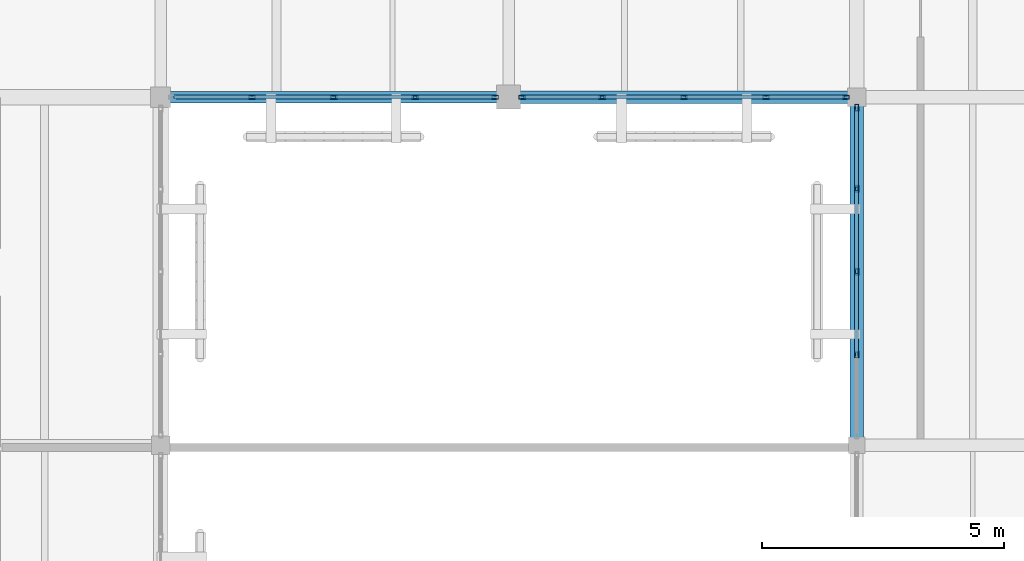
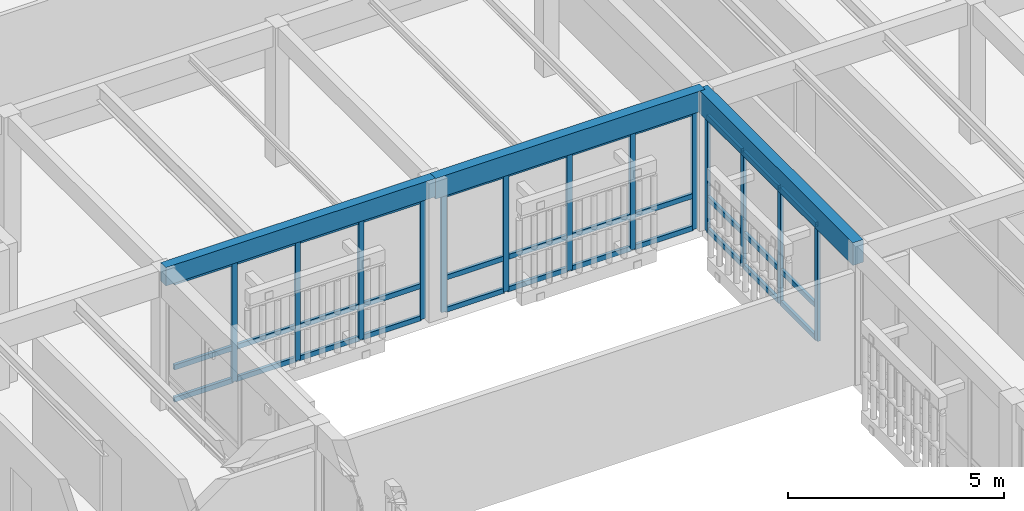
# One storey, part 33 of 112: 46 members, 3 beams, 3 elements without a shape of their own.
"""IFC4 building model written with IfcOpenShell, lengths in metres."""

from ifc_helpers import new_model, si_unit, direction, frame, origin, origin_2d, place, context, subcontext, project, spatial, rectangle, hollow_rectangle, extrude, material, layer, layer_set, material_profile, profile_set, type_object, element, aggregate, save


model = new_model("IFC4")

# Units and contexts
model_context = context("Model", 3, precision=1e-05, world=origin(), true_north=direction((0.0, 1.0)))
body_context = subcontext(model_context, "Body", "Model", "MODEL_VIEW")
ifc_project = project(units=[si_unit("LENGTHUNIT", "METRE"), si_unit("AREAUNIT", "SQUARE_METRE"), si_unit("VOLUMEUNIT", "CUBIC_METRE"), si_unit("PLANEANGLEUNIT", "RADIAN"), si_unit("MASSUNIT", "GRAM", prefix="KILO")], contexts=[model_context])

# Site, building, storey
site_placement = place(None, origin())
site = spatial("IfcSite", under=ifc_project, at=site_placement, CompositionType="ELEMENT")
building_placement = place(site_placement, origin())
building = spatial("IfcBuilding", under=site, at=building_placement, Name="Mazaris Harbour Polytechnic", CompositionType="ELEMENT")
storey_placement = place(building_placement, frame((0.0, 0.0, 13.800048828125)))
storey = spatial("IfcBuildingStorey", under=building, at=storey_placement, Name="L03", CompositionType="ELEMENT", Elevation=13.800048828125)

# Curtain wall, members
ifc_material_1 = material(Name="Anodised Bronze Aluminium and Low-E Glass", Category="aluminium")
ifc_layer = layer(ifc_material_1, 0.159912109375, Name="Anodised Bronze Aluminium and Low-E Glass")
ifc_layer_set = layer_set([ifc_layer], Name="Anodised Bronze Aluminium and Low-E Glass")
curtain_wall_type = type_object("IfcCurtainWallType", Name="Cloister Court Curtain Wall", PredefinedType="NOTDEFINED", material=ifc_layer_set)
curtain_wall_1_placement = place(storey_placement, origin())
curtain_wall_1 = element("IfcCurtainWall", 1, at=curtain_wall_1_placement, inside=storey, type_object=curtain_wall_type, Name="V4 L03 Curtain Wall 152", PredefinedType="NOTDEFINED")
ifc_material_2 = material(Name="Anodised Bronze Steel S355", Category="steel")
ifc_material_profile_1 = material_profile(ifc_material_2, hollow_rectangle(XDim=0.080078125, YDim=0.139892578125, WallThickness=0.00634765625, at=origin_2d()), Name="RHS 80x140x6.3")
ifc_profile_set_1 = profile_set([ifc_material_profile_1], Name="Anodised Bronze Steel S355")
member_type_1 = type_object("IfcMemberType", Name="Curtain Mullion RHS80x140", PredefinedType="MULLION", material=ifc_profile_set_1)
member_1_placement = place(storey_placement, frame((21.318115234375, 68.39990234375, 0.0), z_axis=(0.0, 0.0, 1.0), x_axis=(0.0, -1.0, 0.0)))
member_1 = element("IfcMember", 2, at=member_1_placement, type_object=member_type_1, Name="CW-02 mullion 1", PredefinedType="MULLION", context=body_context, shape_type="SweptSolid", body=[
    extrude(hollow_rectangle(XDim=0.080078125, YDim=0.139892578125, WallThickness=0.00634765625, at=origin_2d()), origin(), (0.0, 0.0, 1.0), 3.389892578125),
])
member_2_placement = place(storey_placement, frame((19.6689453125, 68.39990234375, 0.0), z_axis=(0.0, 0.0, 1.0), x_axis=(0.0, -1.0, 0.0)))
member_2 = element("IfcMember", 3, at=member_2_placement, type_object=member_type_1, Name="CW-02 mullion 2", PredefinedType="MULLION", context=body_context, shape_type="SweptSolid", body=[
    extrude(hollow_rectangle(XDim=0.080078125, YDim=0.139892578125, WallThickness=0.00634765625, at=origin_2d()), origin(), (0.0, 0.0, 1.0), 3.389892578125),
])
member_3_placement = place(storey_placement, frame((17.97998046875, 68.39990234375, 0.0), z_axis=(0.0, 0.0, 1.0), x_axis=(0.0, -1.0, 0.0)))
member_3 = element("IfcMember", 4, at=member_3_placement, type_object=member_type_1, Name="CW-02 mullion 3", PredefinedType="MULLION", context=body_context, shape_type="SweptSolid", body=[
    extrude(hollow_rectangle(XDim=0.080078125, YDim=0.139892578125, WallThickness=0.00634765625, at=origin_2d()), origin(), (0.0, 0.0, 1.0), 3.389892578125),
])
member_4_placement = place(storey_placement, frame((16.291015625, 68.39990234375, 0.0), z_axis=(0.0, 0.0, 1.0), x_axis=(0.0, -1.0, 0.0)))
member_4 = element("IfcMember", 5, at=member_4_placement, type_object=member_type_1, Name="CW-02 mullion 4", PredefinedType="MULLION", context=body_context, shape_type="SweptSolid", body=[
    extrude(hollow_rectangle(XDim=0.080078125, YDim=0.139892578125, WallThickness=0.00634765625, at=origin_2d()), origin(), (0.0, 0.0, 1.0), 3.389892578125),
])

curtain_wall_2_placement = place(storey_placement, origin())
curtain_wall_2 = element("IfcCurtainWall", 6, at=curtain_wall_2_placement, inside=storey, type_object=curtain_wall_type, Name="V4 L03 Curtain Wall 153", PredefinedType="NOTDEFINED")
member_5_placement = place(storey_placement, frame((28.577880859375, 68.39990234375, 0.0), z_axis=(0.0, 0.0, 1.0), x_axis=(0.0, -1.0, 0.0)))
member_5 = element("IfcMember", 7, at=member_5_placement, type_object=member_type_1, Name="CW-02 mullion 1", PredefinedType="MULLION", context=body_context, shape_type="SweptSolid", body=[
    extrude(hollow_rectangle(XDim=0.080078125, YDim=0.139892578125, WallThickness=0.00634765625, at=origin_2d()), origin(), (0.0, 0.0, 1.0), 3.329833984375),
])
member_6_placement = place(storey_placement, frame((26.924072265625, 68.39990234375, 0.0), z_axis=(0.0, 0.0, 1.0), x_axis=(0.0, -1.0, 0.0)))
member_6 = element("IfcMember", 8, at=member_6_placement, type_object=member_type_1, Name="CW-02 mullion 2", PredefinedType="MULLION", context=body_context, shape_type="SweptSolid", body=[
    extrude(hollow_rectangle(XDim=0.080078125, YDim=0.139892578125, WallThickness=0.00634765625, at=origin_2d()), origin(), (0.0, 0.0, 1.0), 3.329833984375),
])
member_7_placement = place(storey_placement, frame((25.22998046875, 68.39990234375, 0.0), z_axis=(0.0, 0.0, 1.0), x_axis=(0.0, -1.0, 0.0)))
member_7 = element("IfcMember", 9, at=member_7_placement, type_object=member_type_1, Name="CW-02 mullion 3", PredefinedType="MULLION", context=body_context, shape_type="SweptSolid", body=[
    extrude(hollow_rectangle(XDim=0.080078125, YDim=0.139892578125, WallThickness=0.00634765625, at=origin_2d()), origin(), (0.0, 0.0, 1.0), 3.329833984375),
])
member_8_placement = place(storey_placement, frame((23.535888671875, 68.39990234375, 0.0), z_axis=(0.0, 0.0, 1.0), x_axis=(0.0, -1.0, 0.0)))
member_8 = element("IfcMember", 10, at=member_8_placement, type_object=member_type_1, Name="CW-02 mullion 4", PredefinedType="MULLION", context=body_context, shape_type="SweptSolid", body=[
    extrude(hollow_rectangle(XDim=0.080078125, YDim=0.139892578125, WallThickness=0.00634765625, at=origin_2d()), origin(), (0.0, 0.0, 1.0), 3.329833984375),
])
member_9_placement = place(storey_placement, frame((21.882080078125, 68.39990234375, 0.0), z_axis=(0.0, 0.0, 1.0), x_axis=(0.0, -1.0, 0.0)))
member_9 = element("IfcMember", 11, at=member_9_placement, type_object=member_type_1, Name="CW-02 mullion 5", PredefinedType="MULLION", context=body_context, shape_type="SweptSolid", body=[
    extrude(hollow_rectangle(XDim=0.080078125, YDim=0.139892578125, WallThickness=0.00634765625, at=origin_2d()), origin(), (0.0, 0.0, 1.0), 3.329833984375),
])

curtain_wall_3_placement = place(storey_placement, origin())
curtain_wall_3 = element("IfcCurtainWall", 12, at=curtain_wall_3_placement, inside=storey, type_object=curtain_wall_type, Name="V4 L03 Curtain Wall 161", PredefinedType="NOTDEFINED")
member_10_placement = place(storey_placement, frame((28.800048828125, 68.177978515625, 0.0), z_axis=(0.0, 0.0, 1.0), x_axis=(1.0, 0.0, 0.0)))
member_10 = element("IfcMember", 13, at=member_10_placement, type_object=member_type_1, Name="CW-02 mullion 1", PredefinedType="MULLION", context=body_context, shape_type="SweptSolid", body=[
    extrude(hollow_rectangle(XDim=0.080078125, YDim=0.139892578125, WallThickness=0.00634765625, at=origin_2d()), origin(), (0.0, 0.0, 1.0), 3.27001953125),
])
member_11_placement = place(storey_placement, frame((28.800048828125, 66.50390625, 0.0), z_axis=(0.0, 0.0, 1.0), x_axis=(1.0, 0.0, 0.0)))
member_11 = element("IfcMember", 14, at=member_11_placement, type_object=member_type_1, Name="CW-02 mullion 2", PredefinedType="MULLION", context=body_context, shape_type="SweptSolid", body=[
    extrude(hollow_rectangle(XDim=0.080078125, YDim=0.139892578125, WallThickness=0.00634765625, at=origin_2d()), origin(), (0.0, 0.0, 1.0), 3.27001953125),
])
member_12_placement = place(storey_placement, frame((28.800048828125, 64.7900390625, 0.0), z_axis=(0.0, 0.0, 1.0), x_axis=(1.0, 0.0, 0.0)))
member_12 = element("IfcMember", 15, at=member_12_placement, type_object=member_type_1, Name="CW-02 mullion 3", PredefinedType="MULLION", context=body_context, shape_type="SweptSolid", body=[
    extrude(hollow_rectangle(XDim=0.080078125, YDim=0.139892578125, WallThickness=0.00634765625, at=origin_2d()), origin(), (0.0, 0.0, 1.0), 3.27001953125),
])
member_13_placement = place(storey_placement, frame((28.800048828125, 63.075927734375, 0.0), z_axis=(0.0, 0.0, 1.0), x_axis=(1.0, 0.0, 0.0)))
member_13 = element("IfcMember", 16, at=member_13_placement, type_object=member_type_1, Name="CW-02 mullion 4", PredefinedType="MULLION", context=body_context, shape_type="SweptSolid", body=[
    extrude(hollow_rectangle(XDim=0.080078125, YDim=0.139892578125, WallThickness=0.00634765625, at=origin_2d()), origin(), (0.0, 0.0, 1.0), 3.27001953125),
])

# Member
ifc_material_3 = material(Name="Anodised Bronze Steel S355", Category="steel")
ifc_material_profile_2 = material_profile(ifc_material_3, hollow_rectangle(XDim=0.080078125, YDim=0.139892578125, WallThickness=0.00634765625, at=origin_2d()), Name="RHS 80x140x6.3")
ifc_profile_set_2 = profile_set([ifc_material_profile_2], Name="Anodised Bronze Steel S355")
member_type_2 = type_object("IfcMemberType", Name="Curtain Transom RHS80x140", PredefinedType="USERDEFINED", material=ifc_profile_set_2)
member_14_placement = place(storey_placement, frame((21.278076171875, 68.39990234375, 0.0400390625), z_axis=(-1.0, 0.0, 0.0), x_axis=(0.0, -1.0, 0.0)))
member_14 = element("IfcMember", 17, at=member_14_placement, type_object=member_type_2, Name="CW-02 transom 1.1", ObjectType="TRANSOM", PredefinedType="USERDEFINED", context=body_context, shape_type="SweptSolid", body=[
    extrude(hollow_rectangle(XDim=0.080078125, YDim=0.139892578125, WallThickness=0.00634765625, at=origin_2d()), origin(), (0.0, 0.0, 1.0), 1.569091796875),
])

member_15_placement = place(storey_placement, frame((21.278076171875, 68.39990234375, 0.949951171875), z_axis=(-1.0, 0.0, 0.0), x_axis=(0.0, -1.0, 0.0)))
member_15 = element("IfcMember", 18, at=member_15_placement, type_object=member_type_2, Name="CW-02 transom 1.2", ObjectType="TRANSOM", PredefinedType="USERDEFINED", context=body_context, shape_type="SweptSolid", body=[
    extrude(hollow_rectangle(XDim=0.080078125, YDim=0.139892578125, WallThickness=0.00634765625, at=origin_2d()), origin(), (0.0, 0.0, 1.0), 1.569091796875),
])

member_16_placement = place(storey_placement, frame((21.278076171875, 68.39990234375, 3.349853515625), z_axis=(-1.0, 0.0, 0.0), x_axis=(0.0, -1.0, 0.0)))
member_16 = element("IfcMember", 19, at=member_16_placement, type_object=member_type_2, Name="CW-02 transom 1.3", ObjectType="TRANSOM", PredefinedType="USERDEFINED", context=body_context, shape_type="SweptSolid", body=[
    extrude(hollow_rectangle(XDim=0.080078125, YDim=0.139892578125, WallThickness=0.00634765625, at=origin_2d()), origin(), (0.0, 0.0, 1.0), 1.569091796875),
])

member_17_placement = place(storey_placement, frame((19.62890625, 68.39990234375, 0.0400390625), z_axis=(-1.0, 0.0, 0.0), x_axis=(0.0, -1.0, 0.0)))
member_17 = element("IfcMember", 20, at=member_17_placement, type_object=member_type_2, Name="CW-02 transom 2.1", ObjectType="TRANSOM", PredefinedType="USERDEFINED", context=body_context, shape_type="SweptSolid", body=[
    extrude(hollow_rectangle(XDim=0.080078125, YDim=0.139892578125, WallThickness=0.00634765625, at=origin_2d()), origin(), (0.0, 0.0, 1.0), 1.60888671875),
])

member_18_placement = place(storey_placement, frame((19.62890625, 68.39990234375, 0.949951171875), z_axis=(-1.0, 0.0, 0.0), x_axis=(0.0, -1.0, 0.0)))
member_18 = element("IfcMember", 21, at=member_18_placement, type_object=member_type_2, Name="CW-02 transom 2.2", ObjectType="TRANSOM", PredefinedType="USERDEFINED", context=body_context, shape_type="SweptSolid", body=[
    extrude(hollow_rectangle(XDim=0.080078125, YDim=0.139892578125, WallThickness=0.00634765625, at=origin_2d()), origin(), (0.0, 0.0, 1.0), 1.60888671875),
])

member_19_placement = place(storey_placement, frame((19.62890625, 68.39990234375, 3.349853515625), z_axis=(-1.0, 0.0, 0.0), x_axis=(0.0, -1.0, 0.0)))
member_19 = element("IfcMember", 22, at=member_19_placement, type_object=member_type_2, Name="CW-02 transom 2.3", ObjectType="TRANSOM", PredefinedType="USERDEFINED", context=body_context, shape_type="SweptSolid", body=[
    extrude(hollow_rectangle(XDim=0.080078125, YDim=0.139892578125, WallThickness=0.00634765625, at=origin_2d()), origin(), (0.0, 0.0, 1.0), 1.60888671875),
])

member_20_placement = place(storey_placement, frame((17.93994140625, 68.39990234375, 0.0400390625), z_axis=(-1.0, 0.0, 0.0), x_axis=(0.0, -1.0, 0.0)))
member_20 = element("IfcMember", 23, at=member_20_placement, type_object=member_type_2, Name="CW-02 transom 3.1", ObjectType="TRANSOM", PredefinedType="USERDEFINED", context=body_context, shape_type="SweptSolid", body=[
    extrude(hollow_rectangle(XDim=0.080078125, YDim=0.139892578125, WallThickness=0.00634765625, at=origin_2d()), origin(), (0.0, 0.0, 1.0), 1.60888671875),
])

member_21_placement = place(storey_placement, frame((17.93994140625, 68.39990234375, 0.949951171875), z_axis=(-1.0, 0.0, 0.0), x_axis=(0.0, -1.0, 0.0)))
member_21 = element("IfcMember", 24, at=member_21_placement, type_object=member_type_2, Name="CW-02 transom 3.2", ObjectType="TRANSOM", PredefinedType="USERDEFINED", context=body_context, shape_type="SweptSolid", body=[
    extrude(hollow_rectangle(XDim=0.080078125, YDim=0.139892578125, WallThickness=0.00634765625, at=origin_2d()), origin(), (0.0, 0.0, 1.0), 1.60888671875),
])

member_22_placement = place(storey_placement, frame((17.93994140625, 68.39990234375, 3.349853515625), z_axis=(-1.0, 0.0, 0.0), x_axis=(0.0, -1.0, 0.0)))
member_22 = element("IfcMember", 25, at=member_22_placement, type_object=member_type_2, Name="CW-02 transom 3.3", ObjectType="TRANSOM", PredefinedType="USERDEFINED", context=body_context, shape_type="SweptSolid", body=[
    extrude(hollow_rectangle(XDim=0.080078125, YDim=0.139892578125, WallThickness=0.00634765625, at=origin_2d()), origin(), (0.0, 0.0, 1.0), 1.60888671875),
])

member_23_placement = place(storey_placement, frame((16.2509765625, 68.39990234375, 0.0400390625), z_axis=(-1.0, 0.0, 0.0), x_axis=(0.0, -1.0, 0.0)))
member_23 = element("IfcMember", 26, at=member_23_placement, type_object=member_type_2, Name="CW-02 transom 4.1", ObjectType="TRANSOM", PredefinedType="USERDEFINED", context=body_context, shape_type="SweptSolid", body=[
    extrude(hollow_rectangle(XDim=0.080078125, YDim=0.139892578125, WallThickness=0.00634765625, at=origin_2d()), origin(), (0.0, 0.0, 1.0), 1.569091796875),
])

member_24_placement = place(storey_placement, frame((16.2509765625, 68.39990234375, 0.949951171875), z_axis=(-1.0, 0.0, 0.0), x_axis=(0.0, -1.0, 0.0)))
member_24 = element("IfcMember", 27, at=member_24_placement, type_object=member_type_2, Name="CW-02 transom 4.2", ObjectType="TRANSOM", PredefinedType="USERDEFINED", context=body_context, shape_type="SweptSolid", body=[
    extrude(hollow_rectangle(XDim=0.080078125, YDim=0.139892578125, WallThickness=0.00634765625, at=origin_2d()), origin(), (0.0, 0.0, 1.0), 1.569091796875),
])

member_25_placement = place(storey_placement, frame((16.2509765625, 68.39990234375, 3.349853515625), z_axis=(-1.0, 0.0, 0.0), x_axis=(0.0, -1.0, 0.0)))
member_25 = element("IfcMember", 28, at=member_25_placement, type_object=member_type_2, Name="CW-02 transom 4.3", ObjectType="TRANSOM", PredefinedType="USERDEFINED", context=body_context, shape_type="SweptSolid", body=[
    extrude(hollow_rectangle(XDim=0.080078125, YDim=0.139892578125, WallThickness=0.00634765625, at=origin_2d()), origin(), (0.0, 0.0, 1.0), 1.569091796875),
])

aggregate(curtain_wall_1, [member_1, member_2, member_3, member_4, member_14, member_15, member_16, member_17, member_18, member_19, member_20, member_21, member_22, member_23, member_24, member_25])

member_26_placement = place(storey_placement, frame((28.5380859375, 68.39990234375, 0.0400390625), z_axis=(-1.0, 0.0, 0.0), x_axis=(0.0, -1.0, 0.0)))
member_26 = element("IfcMember", 29, at=member_26_placement, type_object=member_type_2, Name="CW-02 transom 1.1", ObjectType="TRANSOM", PredefinedType="USERDEFINED", context=body_context, shape_type="SweptSolid", body=[
    extrude(hollow_rectangle(XDim=0.080078125, YDim=0.139892578125, WallThickness=0.00634765625, at=origin_2d()), origin(), (0.0, 0.0, 1.0), 1.573974609375),
])

member_27_placement = place(storey_placement, frame((28.5380859375, 68.39990234375, 0.949951171875), z_axis=(-1.0, 0.0, 0.0), x_axis=(0.0, -1.0, 0.0)))
member_27 = element("IfcMember", 30, at=member_27_placement, type_object=member_type_2, Name="CW-02 transom 1.2", ObjectType="TRANSOM", PredefinedType="USERDEFINED", context=body_context, shape_type="SweptSolid", body=[
    extrude(hollow_rectangle(XDim=0.080078125, YDim=0.139892578125, WallThickness=0.00634765625, at=origin_2d()), origin(), (0.0, 0.0, 1.0), 1.573974609375),
])

member_28_placement = place(storey_placement, frame((28.5380859375, 68.39990234375, 3.2900390625), z_axis=(-1.0, 0.0, 0.0), x_axis=(0.0, -1.0, 0.0)))
member_28 = element("IfcMember", 31, at=member_28_placement, type_object=member_type_2, Name="CW-02 transom 1.3", ObjectType="TRANSOM", PredefinedType="USERDEFINED", context=body_context, shape_type="SweptSolid", body=[
    extrude(hollow_rectangle(XDim=0.080078125, YDim=0.139892578125, WallThickness=0.00634765625, at=origin_2d()), origin(), (0.0, 0.0, 1.0), 1.573974609375),
])

member_29_placement = place(storey_placement, frame((26.884033203125, 68.39990234375, 0.0400390625), z_axis=(-1.0, 0.0, 0.0), x_axis=(0.0, -1.0, 0.0)))
member_29 = element("IfcMember", 32, at=member_29_placement, type_object=member_type_2, Name="CW-02 transom 2.1", ObjectType="TRANSOM", PredefinedType="USERDEFINED", context=body_context, shape_type="SweptSolid", body=[
    extrude(hollow_rectangle(XDim=0.080078125, YDim=0.139892578125, WallThickness=0.00634765625, at=origin_2d()), origin(), (0.0, 0.0, 1.0), 1.614013671875),
])

member_30_placement = place(storey_placement, frame((26.884033203125, 68.39990234375, 0.949951171875), z_axis=(-1.0, 0.0, 0.0), x_axis=(0.0, -1.0, 0.0)))
member_30 = element("IfcMember", 33, at=member_30_placement, type_object=member_type_2, Name="CW-02 transom 2.2", ObjectType="TRANSOM", PredefinedType="USERDEFINED", context=body_context, shape_type="SweptSolid", body=[
    extrude(hollow_rectangle(XDim=0.080078125, YDim=0.139892578125, WallThickness=0.00634765625, at=origin_2d()), origin(), (0.0, 0.0, 1.0), 1.614013671875),
])

member_31_placement = place(storey_placement, frame((26.884033203125, 68.39990234375, 3.2900390625), z_axis=(-1.0, 0.0, 0.0), x_axis=(0.0, -1.0, 0.0)))
member_31 = element("IfcMember", 34, at=member_31_placement, type_object=member_type_2, Name="CW-02 transom 2.3", ObjectType="TRANSOM", PredefinedType="USERDEFINED", context=body_context, shape_type="SweptSolid", body=[
    extrude(hollow_rectangle(XDim=0.080078125, YDim=0.139892578125, WallThickness=0.00634765625, at=origin_2d()), origin(), (0.0, 0.0, 1.0), 1.614013671875),
])

member_32_placement = place(storey_placement, frame((25.18994140625, 68.39990234375, 0.0400390625), z_axis=(-1.0, 0.0, 0.0), x_axis=(0.0, -1.0, 0.0)))
member_32 = element("IfcMember", 35, at=member_32_placement, type_object=member_type_2, Name="CW-02 transom 3.1", ObjectType="TRANSOM", PredefinedType="USERDEFINED", context=body_context, shape_type="SweptSolid", body=[
    extrude(hollow_rectangle(XDim=0.080078125, YDim=0.139892578125, WallThickness=0.00634765625, at=origin_2d()), origin(), (0.0, 0.0, 1.0), 1.614013671875),
])

member_33_placement = place(storey_placement, frame((25.18994140625, 68.39990234375, 0.949951171875), z_axis=(-1.0, 0.0, 0.0), x_axis=(0.0, -1.0, 0.0)))
member_33 = element("IfcMember", 36, at=member_33_placement, type_object=member_type_2, Name="CW-02 transom 3.2", ObjectType="TRANSOM", PredefinedType="USERDEFINED", context=body_context, shape_type="SweptSolid", body=[
    extrude(hollow_rectangle(XDim=0.080078125, YDim=0.139892578125, WallThickness=0.00634765625, at=origin_2d()), origin(), (0.0, 0.0, 1.0), 1.614013671875),
])

member_34_placement = place(storey_placement, frame((25.18994140625, 68.39990234375, 3.2900390625), z_axis=(-1.0, 0.0, 0.0), x_axis=(0.0, -1.0, 0.0)))
member_34 = element("IfcMember", 37, at=member_34_placement, type_object=member_type_2, Name="CW-02 transom 3.3", ObjectType="TRANSOM", PredefinedType="USERDEFINED", context=body_context, shape_type="SweptSolid", body=[
    extrude(hollow_rectangle(XDim=0.080078125, YDim=0.139892578125, WallThickness=0.00634765625, at=origin_2d()), origin(), (0.0, 0.0, 1.0), 1.614013671875),
])

member_35_placement = place(storey_placement, frame((23.49609375, 68.39990234375, 0.0400390625), z_axis=(-1.0, 0.0, 0.0), x_axis=(0.0, -1.0, 0.0)))
member_35 = element("IfcMember", 38, at=member_35_placement, type_object=member_type_2, Name="CW-02 transom 4.1", ObjectType="TRANSOM", PredefinedType="USERDEFINED", context=body_context, shape_type="SweptSolid", body=[
    extrude(hollow_rectangle(XDim=0.080078125, YDim=0.139892578125, WallThickness=0.00634765625, at=origin_2d()), origin(), (0.0, 0.0, 1.0), 1.573974609375),
])

member_36_placement = place(storey_placement, frame((23.49609375, 68.39990234375, 0.949951171875), z_axis=(-1.0, 0.0, 0.0), x_axis=(0.0, -1.0, 0.0)))
member_36 = element("IfcMember", 39, at=member_36_placement, type_object=member_type_2, Name="CW-02 transom 4.2", ObjectType="TRANSOM", PredefinedType="USERDEFINED", context=body_context, shape_type="SweptSolid", body=[
    extrude(hollow_rectangle(XDim=0.080078125, YDim=0.139892578125, WallThickness=0.00634765625, at=origin_2d()), origin(), (0.0, 0.0, 1.0), 1.573974609375),
])

member_37_placement = place(storey_placement, frame((23.49609375, 68.39990234375, 3.2900390625), z_axis=(-1.0, 0.0, 0.0), x_axis=(0.0, -1.0, 0.0)))
member_37 = element("IfcMember", 40, at=member_37_placement, type_object=member_type_2, Name="CW-02 transom 4.3", ObjectType="TRANSOM", PredefinedType="USERDEFINED", context=body_context, shape_type="SweptSolid", body=[
    extrude(hollow_rectangle(XDim=0.080078125, YDim=0.139892578125, WallThickness=0.00634765625, at=origin_2d()), origin(), (0.0, 0.0, 1.0), 1.573974609375),
])

aggregate(curtain_wall_2, [member_5, member_6, member_7, member_8, member_9, member_26, member_27, member_28, member_29, member_30, member_31, member_32, member_33, member_34, member_35, member_36, member_37])

member_38_placement = place(storey_placement, frame((28.800048828125, 68.137939453125, 0.0400390625), z_axis=(0.0, -1.0, 0.0), x_axis=(1.0, 0.0, 0.0)))
member_38 = element("IfcMember", 41, at=member_38_placement, type_object=member_type_2, Name="CW-02 transom 1.1", ObjectType="TRANSOM", PredefinedType="USERDEFINED", context=body_context, shape_type="SweptSolid", body=[
    extrude(hollow_rectangle(XDim=0.080078125, YDim=0.139892578125, WallThickness=0.00634765625, at=origin_2d()), origin(), (0.0, 0.0, 1.0), 1.593994140625),
])

member_39_placement = place(storey_placement, frame((28.800048828125, 68.137939453125, 0.949951171875), z_axis=(0.0, -1.0, 0.0), x_axis=(1.0, 0.0, 0.0)))
member_39 = element("IfcMember", 42, at=member_39_placement, type_object=member_type_2, Name="CW-02 transom 1.2", ObjectType="TRANSOM", PredefinedType="USERDEFINED", context=body_context, shape_type="SweptSolid", body=[
    extrude(hollow_rectangle(XDim=0.080078125, YDim=0.139892578125, WallThickness=0.00634765625, at=origin_2d()), origin(), (0.0, 0.0, 1.0), 1.593994140625),
])

member_40_placement = place(storey_placement, frame((28.800048828125, 68.137939453125, 3.22998046875), z_axis=(0.0, -1.0, 0.0), x_axis=(1.0, 0.0, 0.0)))
member_40 = element("IfcMember", 43, at=member_40_placement, type_object=member_type_2, Name="CW-02 transom 1.3", ObjectType="TRANSOM", PredefinedType="USERDEFINED", context=body_context, shape_type="SweptSolid", body=[
    extrude(hollow_rectangle(XDim=0.080078125, YDim=0.139892578125, WallThickness=0.00634765625, at=origin_2d()), origin(), (0.0, 0.0, 1.0), 1.593994140625),
])

member_41_placement = place(storey_placement, frame((28.800048828125, 66.464111328125, 0.0400390625), z_axis=(0.0, -1.0, 0.0), x_axis=(1.0, 0.0, 0.0)))
member_41 = element("IfcMember", 44, at=member_41_placement, type_object=member_type_2, Name="CW-02 transom 2.1", ObjectType="TRANSOM", PredefinedType="USERDEFINED", context=body_context, shape_type="SweptSolid", body=[
    extrude(hollow_rectangle(XDim=0.080078125, YDim=0.139892578125, WallThickness=0.00634765625, at=origin_2d()), origin(), (0.0, 0.0, 1.0), 1.634033203125),
])

member_42_placement = place(storey_placement, frame((28.800048828125, 66.464111328125, 0.949951171875), z_axis=(0.0, -1.0, 0.0), x_axis=(1.0, 0.0, 0.0)))
member_42 = element("IfcMember", 45, at=member_42_placement, type_object=member_type_2, Name="CW-02 transom 2.2", ObjectType="TRANSOM", PredefinedType="USERDEFINED", context=body_context, shape_type="SweptSolid", body=[
    extrude(hollow_rectangle(XDim=0.080078125, YDim=0.139892578125, WallThickness=0.00634765625, at=origin_2d()), origin(), (0.0, 0.0, 1.0), 1.634033203125),
])

member_43_placement = place(storey_placement, frame((28.800048828125, 66.464111328125, 3.22998046875), z_axis=(0.0, -1.0, 0.0), x_axis=(1.0, 0.0, 0.0)))
member_43 = element("IfcMember", 46, at=member_43_placement, type_object=member_type_2, Name="CW-02 transom 2.3", ObjectType="TRANSOM", PredefinedType="USERDEFINED", context=body_context, shape_type="SweptSolid", body=[
    extrude(hollow_rectangle(XDim=0.080078125, YDim=0.139892578125, WallThickness=0.00634765625, at=origin_2d()), origin(), (0.0, 0.0, 1.0), 1.634033203125),
])

member_44_placement = place(storey_placement, frame((28.800048828125, 64.75, 0.0400390625), z_axis=(0.0, -1.0, 0.0), x_axis=(1.0, 0.0, 0.0)))
member_44 = element("IfcMember", 47, at=member_44_placement, type_object=member_type_2, Name="CW-02 transom 3.1", ObjectType="TRANSOM", PredefinedType="USERDEFINED", context=body_context, shape_type="SweptSolid", body=[
    extrude(hollow_rectangle(XDim=0.080078125, YDim=0.139892578125, WallThickness=0.00634765625, at=origin_2d()), origin(), (0.0, 0.0, 1.0), 1.634033203125),
])

member_45_placement = place(storey_placement, frame((28.800048828125, 64.75, 0.949951171875), z_axis=(0.0, -1.0, 0.0), x_axis=(1.0, 0.0, 0.0)))
member_45 = element("IfcMember", 48, at=member_45_placement, type_object=member_type_2, Name="CW-02 transom 3.2", ObjectType="TRANSOM", PredefinedType="USERDEFINED", context=body_context, shape_type="SweptSolid", body=[
    extrude(hollow_rectangle(XDim=0.080078125, YDim=0.139892578125, WallThickness=0.00634765625, at=origin_2d()), origin(), (0.0, 0.0, 1.0), 1.634033203125),
])

member_46_placement = place(storey_placement, frame((28.800048828125, 64.75, 3.22998046875), z_axis=(0.0, -1.0, 0.0), x_axis=(1.0, 0.0, 0.0)))
member_46 = element("IfcMember", 49, at=member_46_placement, type_object=member_type_2, Name="CW-02 transom 3.3", ObjectType="TRANSOM", PredefinedType="USERDEFINED", context=body_context, shape_type="SweptSolid", body=[
    extrude(hollow_rectangle(XDim=0.080078125, YDim=0.139892578125, WallThickness=0.00634765625, at=origin_2d()), origin(), (0.0, 0.0, 1.0), 1.634033203125),
])

aggregate(curtain_wall_3, [member_10, member_11, member_12, member_13, member_38, member_39, member_40, member_41, member_42, member_43, member_44, member_45, member_46])

# Beams
ifc_material_4 = material(Name="Glulam GL32h", Category="wood")
ifc_material_profile_3 = material_profile(ifc_material_4, rectangle(XDim=0.239990234375, YDim=0.52001953125, at=origin_2d()), Name="RECT240x520")
ifc_profile_set_3 = profile_set([ifc_material_profile_3], Name="Glulam GL32h")
beam_type_1 = type_object("IfcBeamType", Name="Glulam Girder 240x520", PredefinedType="BEAM", material=ifc_profile_set_3)
beam_1_placement = place(storey_placement, frame((14.39990234375, 68.39990234375, 3.659912109375), z_axis=(1.0, 0.0, 0.0), x_axis=(0.0, 1.0, 0.0)))
element("IfcBeam", 50, at=beam_1_placement, inside=storey, type_object=beam_type_1, Name="V4 L03 Girder 2210", PredefinedType="BEAM", context=body_context, shape_type="SweptSolid", body=[
    extrude(rectangle(XDim=0.239990234375, YDim=0.52001953125, at=origin_2d()), origin(), (0.0, 0.0, 1.0), 7.2001953125),
])
ifc_material_5 = material(Name="Glulam GL32h", Category="wood")
ifc_material_profile_4 = material_profile(ifc_material_5, rectangle(XDim=0.260009765625, YDim=0.580078125, at=origin_2d()), Name="RECT260x580")
ifc_profile_set_4 = profile_set([ifc_material_profile_4], Name="Glulam GL32h")
beam_type_2 = type_object("IfcBeamType", Name="Glulam Girder 260x580", PredefinedType="BEAM", material=ifc_profile_set_4)
beam_2_placement = place(storey_placement, frame((21.60009765625, 68.39990234375, 3.6298828125), z_axis=(1.0, 0.0, 0.0), x_axis=(0.0, 1.0, 0.0)))
element("IfcBeam", 51, at=beam_2_placement, inside=storey, type_object=beam_type_2, Name="V4 L03 Girder 2211", PredefinedType="BEAM", context=body_context, shape_type="SweptSolid", body=[
    extrude(rectangle(XDim=0.260009765625, YDim=0.580078125, at=origin_2d()), origin(), (0.0, 0.0, 1.0), 7.199951171875),
])
ifc_material_6 = material(Name="Glulam GL32h", Category="wood")
ifc_material_profile_5 = material_profile(ifc_material_6, rectangle(XDim=0.280029296875, YDim=0.639892578125, at=origin_2d()), Name="RECT280x640")
ifc_profile_set_5 = profile_set([ifc_material_profile_5], Name="Glulam GL32h")
beam_type_3 = type_object("IfcBeamType", Name="Glulam Girder 280x640", PredefinedType="BEAM", material=ifc_profile_set_5)
beam_3_placement = place(storey_placement, frame((28.800048828125, 61.199951171875, 3.599853515625), z_axis=(0.0, 1.0, 0.0), x_axis=(-1.0, 0.0, 0.0)))
element("IfcBeam", 52, at=beam_3_placement, inside=storey, type_object=beam_type_3, Name="V4 L03 Tie Girder 2257", PredefinedType="BEAM", context=body_context, shape_type="SweptSolid", body=[
    extrude(rectangle(XDim=0.280029296875, YDim=0.639892578125, at=origin_2d()), origin(), (0.0, 0.0, 1.0), 7.199951171875),
])

save(model, "model.ifc")
